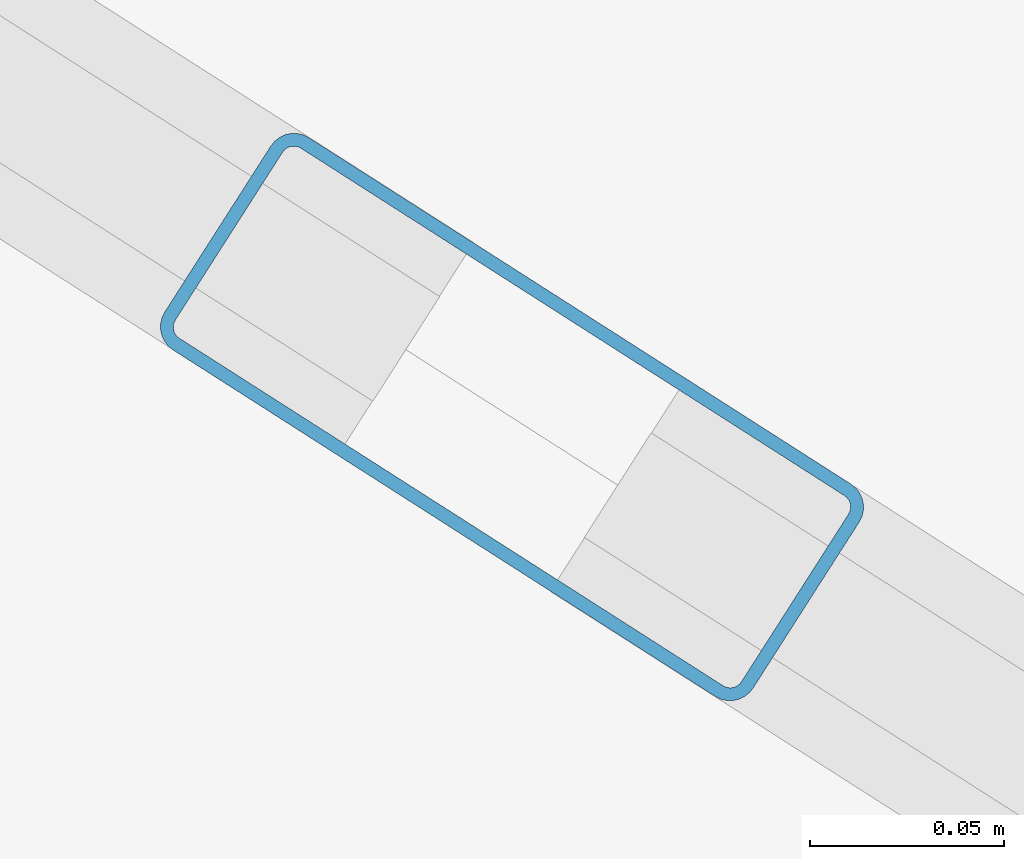
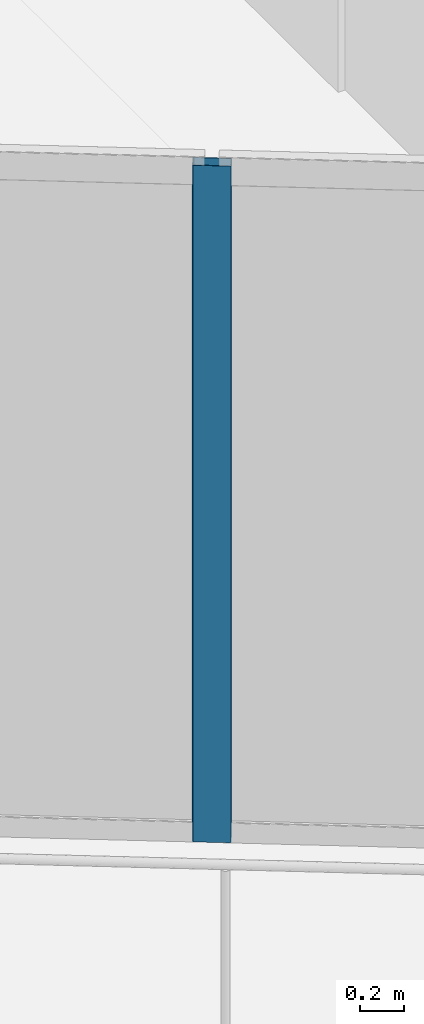
# One storey, part 6 of 39: 1 member, 1 element without a shape of its own.
"""IFC4 building model written with IfcOpenShell, lengths in metres."""

from ifc_helpers import new_model, si_unit, direction, frame, origin, origin_2d, place, context, subcontext, project, spatial, hollow_rectangle, extrude, material, layer, layer_set, material_profile, profile_set, type_object, element, aggregate, save


model = new_model("IFC4")

# Units and contexts
model_context = context("Model", 3, precision=1e-05, world=origin(), true_north=direction((0.0, 1.0)))
body_context = subcontext(model_context, "Body", "Model", "MODEL_VIEW")
ifc_project = project(units=[si_unit("LENGTHUNIT", "METRE"), si_unit("AREAUNIT", "SQUARE_METRE"), si_unit("VOLUMEUNIT", "CUBIC_METRE"), si_unit("PLANEANGLEUNIT", "RADIAN"), si_unit("MASSUNIT", "GRAM", prefix="KILO")], contexts=[model_context])

# Site, building, storey
site_placement = place(None, origin())
site = spatial("IfcSite", under=ifc_project, at=site_placement, CompositionType="ELEMENT")
building_placement = place(site_placement, origin())
building = spatial("IfcBuilding", under=site, at=building_placement, Name="Qorvath Tower", CompositionType="ELEMENT")
storey_placement = place(building_placement, frame((0.0, 0.0, 162.449951171875)))
storey = spatial("IfcBuildingStorey", under=building, at=storey_placement, Name="L37", CompositionType="ELEMENT", Elevation=162.449951171875)

# Curtain wall, member
ifc_material_1 = material(Name="Anodised aluminium and triple low-E glass", Category="aluminium")
ifc_layer = layer(ifc_material_1, 0.179931640625)
ifc_layer_set = layer_set([ifc_layer], Name="CW-SYS-3")
curtain_wall_type = type_object("IfcCurtainWallType", Name="CW-SYS-3", PredefinedType="NOTDEFINED", material=ifc_layer_set)
curtain_wall_placement = place(storey_placement, origin())
curtain_wall = element("IfcCurtainWall", 1, at=curtain_wall_placement, inside=storey, type_object=curtain_wall_type, Name="Curtain Wall CW-3 CW-T-L37-2.1", PredefinedType="NOTDEFINED")
ifc_material_2 = material(Name="Anodised aluminium 6063-T6", Category="aluminium")
ifc_material_profile = material_profile(ifc_material_2, hollow_rectangle(XDim=0.06494140625, YDim=0.179931640625, WallThickness=0.00341796875, InnerFilletRadius=0.00341796875, OuterFilletRadius=0.007080078125, at=origin_2d()), Name="CWM 180x65")
ifc_profile_set = profile_set([ifc_material_profile], Name="Anodised aluminium 6063-T6")
member_type = type_object("IfcMemberType", Name="CWM-180", PredefinedType="MULLION", material=ifc_profile_set)
member_placement = place(storey_placement, frame((-41.384521484375, -13.252197265625, 0.0), z_axis=(0.0, 0.0, 1.0), x_axis=(0.538533895245, 0.842603847411, 0.0)))
member = element("IfcMember", 2, at=member_placement, type_object=member_type, Name="CW-3 mullion 4", PredefinedType="MULLION", context=body_context, shape_type="SweptSolid", body=[
    extrude(hollow_rectangle(XDim=0.06494140625, YDim=0.179931640625, WallThickness=0.00341796875, InnerFilletRadius=0.00341796875, OuterFilletRadius=0.007080078125, at=origin_2d()), origin(), (0.0, 0.0, 1.0), 3.780029296875),
])
aggregate(curtain_wall, [member])

save(model, "model.ifc")
